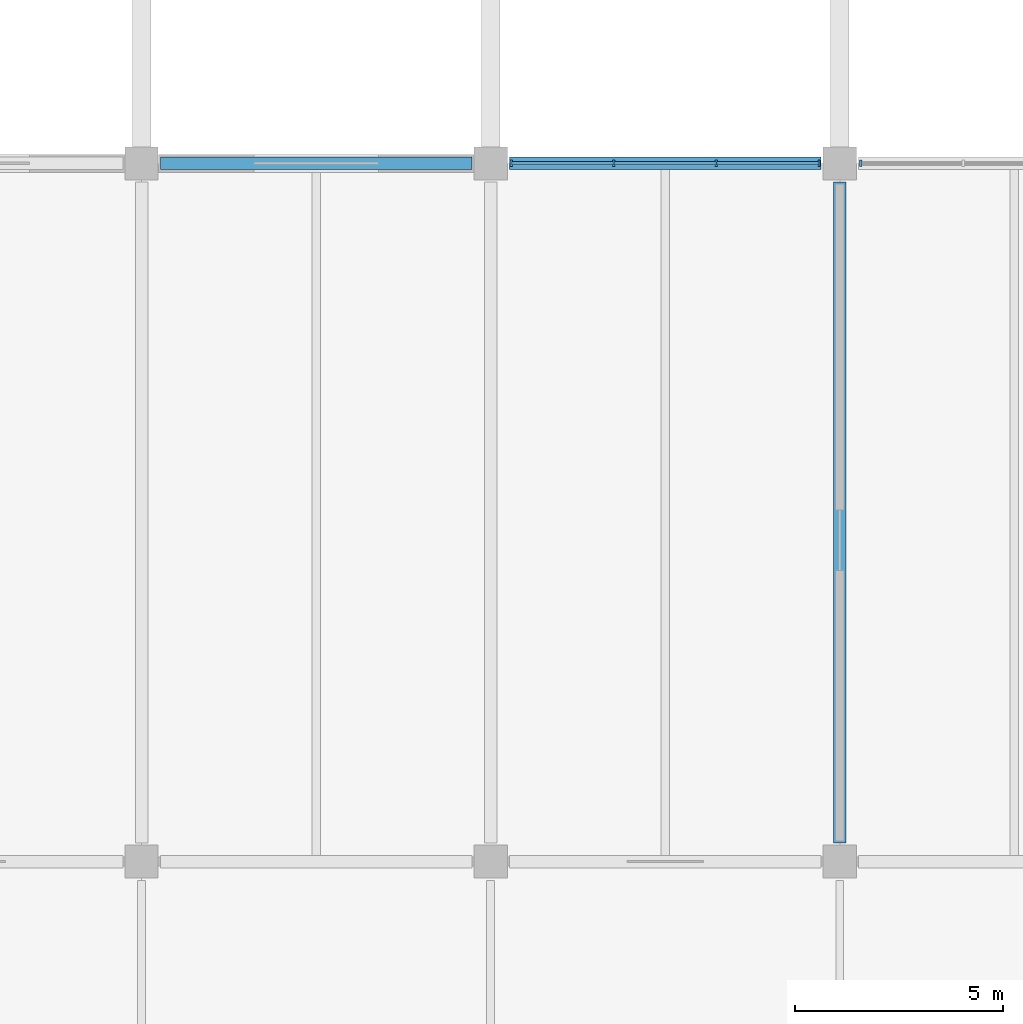
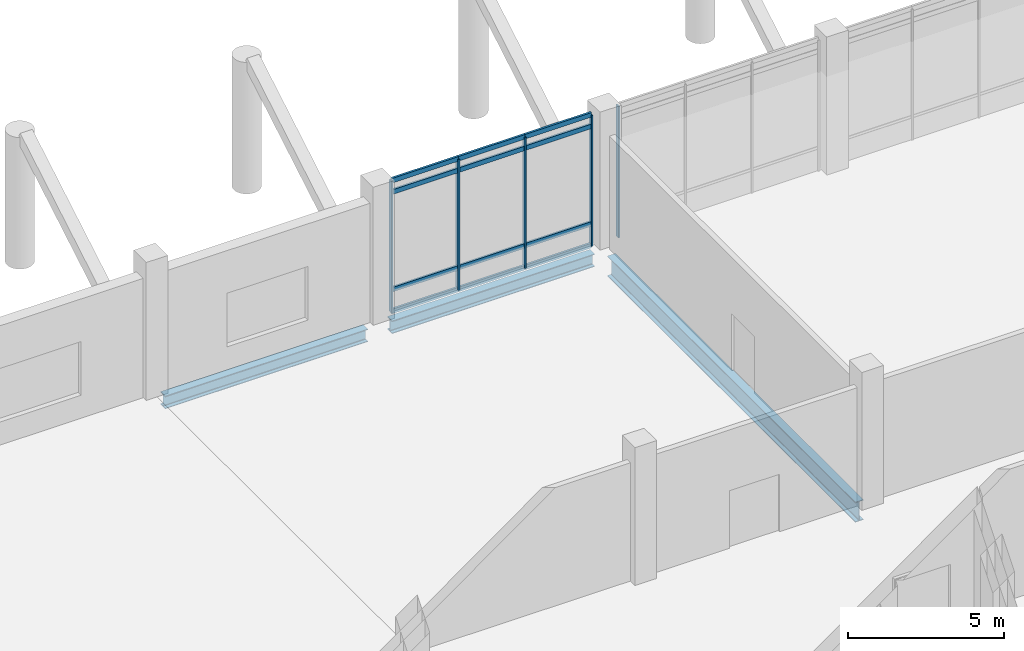
# One storey, part 12 of 72: 17 members, 3 beams, 2 elements without a shape of their own.
"""IFC4 building model written with IfcOpenShell, lengths in metres."""

from ifc_helpers import new_model, si_unit, direction, frame, origin, origin_2d, place, context, subcontext, project, spatial, rectangle, i_section, extrude, material, layer, layer_set, material_profile, profile_set, type_object, element, aggregate, save


model = new_model("IFC4")

# Units and contexts
model_context = context("Model", 3, precision=1e-05, world=origin(), true_north=direction((0.0, 1.0)))
body_context = subcontext(model_context, "Body", "Model", "MODEL_VIEW")
ifc_project = project(units=[si_unit("LENGTHUNIT", "METRE"), si_unit("AREAUNIT", "SQUARE_METRE"), si_unit("VOLUMEUNIT", "CUBIC_METRE"), si_unit("PLANEANGLEUNIT", "RADIAN"), si_unit("MASSUNIT", "GRAM", prefix="KILO")], contexts=[model_context])

# Site, building, storey
site_placement = place(None, origin())
site = spatial("IfcSite", under=ifc_project, at=site_placement, CompositionType="ELEMENT")
building_placement = place(site_placement, origin())
building = spatial("IfcBuilding", under=site, at=building_placement, Name="Qawsi Khor Wholesale Market", CompositionType="ELEMENT")
storey_placement = place(building_placement, frame((0.0, 0.0, 6.0)))
storey = spatial("IfcBuildingStorey", under=building, at=storey_placement, Name="L01", CompositionType="ELEMENT", Elevation=6.0)

# Curtain wall, members
ifc_material_1 = material(Name="Aluminium Anodised Bronze", Category="aluminium")
ifc_layer = layer(ifc_material_1, 0.169921875, Name="Aluminium Anodised Bronze")
ifc_layer_set = layer_set([ifc_layer], Name="Aluminium Anodised Bronze")
curtain_wall_type = type_object("IfcCurtainWallType", Name="Central Court Gallery Curtain Wall CW-05", PredefinedType="NOTDEFINED", material=ifc_layer_set)
curtain_wall_1_placement = place(storey_placement, origin())
curtain_wall_1 = element("IfcCurtainWall", 1, at=curtain_wall_1_placement, inside=storey, type_object=curtain_wall_type, Name="Curtain wall CW-CW-05-L01-063", PredefinedType="NOTDEFINED")
ifc_material_profile_1 = material_profile(ifc_material_1, rectangle(XDim=0.06005859375, YDim=0.159912109375, at=origin_2d()), Name="ALU MULLION 60x160")
ifc_profile_set_1 = profile_set([ifc_material_profile_1], Name="Aluminium Anodised Bronze")
member_type_1 = type_object("IfcMemberType", Name="Curtain Wall Mullion CW-05 ALU MULLION 60x160", PredefinedType="MULLION", material=ifc_profile_set_1)
member_1_placement = place(storey_placement, frame((118.10009765625, 42.0, -0.02001953125), z_axis=(0.0, 0.0, 1.0), x_axis=(1.0, 0.0, 0.0)))
member_1 = element("IfcMember", 2, at=member_1_placement, type_object=member_type_1, Name="Mullion CW-CW-05-L01-063-M00", PredefinedType="MULLION", context=body_context, shape_type="SweptSolid", body=[
    extrude(rectangle(XDim=0.06005859375, YDim=0.159912109375, at=origin_2d()), origin(), (0.0, 0.0, 1.0), 5.14013671875),
])
member_2_placement = place(storey_placement, frame((120.566650390625, 42.0, -0.02001953125), z_axis=(0.0, 0.0, 1.0), x_axis=(1.0, 0.0, 0.0)))
member_2 = element("IfcMember", 3, at=member_2_placement, type_object=member_type_1, Name="Mullion CW-CW-05-L01-063-M01", PredefinedType="MULLION", context=body_context, shape_type="SweptSolid", body=[
    extrude(rectangle(XDim=0.06005859375, YDim=0.159912109375, at=origin_2d()), origin(), (0.0, 0.0, 1.0), 5.14013671875),
])
member_3_placement = place(storey_placement, frame((123.033203125, 42.0, -0.02001953125), z_axis=(0.0, 0.0, 1.0), x_axis=(1.0, 0.0, 0.0)))
member_3 = element("IfcMember", 4, at=member_3_placement, type_object=member_type_1, Name="Mullion CW-CW-05-L01-063-M02", PredefinedType="MULLION", context=body_context, shape_type="SweptSolid", body=[
    extrude(rectangle(XDim=0.06005859375, YDim=0.159912109375, at=origin_2d()), origin(), (0.0, 0.0, 1.0), 5.14013671875),
])
member_4_placement = place(storey_placement, frame((125.5, 42.0, -0.02001953125), z_axis=(0.0, 0.0, 1.0), x_axis=(1.0, 0.0, 0.0)))
member_4 = element("IfcMember", 5, at=member_4_placement, type_object=member_type_1, Name="Mullion CW-CW-05-L01-063-M03", PredefinedType="MULLION", context=body_context, shape_type="SweptSolid", body=[
    extrude(rectangle(XDim=0.06005859375, YDim=0.159912109375, at=origin_2d()), origin(), (0.0, 0.0, 1.0), 5.14013671875),
])

# Curtain wall, member
curtain_wall_2_placement = place(storey_placement, origin())
curtain_wall_2 = element("IfcCurtainWall", 6, at=curtain_wall_2_placement, inside=storey, type_object=curtain_wall_type, Name="Curtain wall CW-CW-05-L01-064", PredefinedType="NOTDEFINED")
member_5_placement = place(storey_placement, frame((126.5, 42.0, -0.02001953125), z_axis=(0.0, 0.0, 1.0), x_axis=(1.0, 0.0, 0.0)))
member_5 = element("IfcMember", 7, at=member_5_placement, type_object=member_type_1, Name="Mullion CW-CW-05-L01-064-M00", PredefinedType="MULLION", context=body_context, shape_type="SweptSolid", body=[
    extrude(rectangle(XDim=0.06005859375, YDim=0.159912109375, at=origin_2d()), origin(), (0.0, 0.0, 1.0), 5.14013671875),
])
aggregate(curtain_wall_2, [member_5])

# Member
ifc_material_profile_2 = material_profile(ifc_material_1, rectangle(XDim=0.080078125, YDim=0.179931640625, at=origin_2d()), Name="ALU TRANSOM 80x180")
ifc_profile_set_2 = profile_set([ifc_material_profile_2], Name="Aluminium Anodised Bronze")
member_type_2 = type_object("IfcMemberType", Name="Curtain Wall Transom CW-05 ALU TRANSOM 80x180", PredefinedType="USERDEFINED", material=ifc_profile_set_2)
member_6_placement = place(storey_placement, frame((118.10009765625, 42.0, 0.0), z_axis=(1.0, 0.0, 0.0), x_axis=(0.0, 1.0, 0.0)))
member_6 = element("IfcMember", 8, at=member_6_placement, type_object=member_type_2, Name="Transom CW-CW-05-L01-063-T0_00", ObjectType="TRANSOM", PredefinedType="USERDEFINED", context=body_context, shape_type="SweptSolid", body=[
    extrude(rectangle(XDim=0.080078125, YDim=0.179931640625, at=origin_2d()), origin(), (0.0, 0.0, 1.0), 2.466552734375),
])

member_7_placement = place(storey_placement, frame((120.566650390625, 42.0, 0.0), z_axis=(1.0, 0.0, 0.0), x_axis=(0.0, 1.0, 0.0)))
member_7 = element("IfcMember", 9, at=member_7_placement, type_object=member_type_2, Name="Transom CW-CW-05-L01-063-T0_01", ObjectType="TRANSOM", PredefinedType="USERDEFINED", context=body_context, shape_type="SweptSolid", body=[
    extrude(rectangle(XDim=0.080078125, YDim=0.179931640625, at=origin_2d()), origin(), (0.0, 0.0, 1.0), 2.466552734375),
])

member_8_placement = place(storey_placement, frame((123.033203125, 42.0, 0.0), z_axis=(1.0, 0.0, 0.0), x_axis=(0.0, 1.0, 0.0)))
member_8 = element("IfcMember", 10, at=member_8_placement, type_object=member_type_2, Name="Transom CW-CW-05-L01-063-T0_02", ObjectType="TRANSOM", PredefinedType="USERDEFINED", context=body_context, shape_type="SweptSolid", body=[
    extrude(rectangle(XDim=0.080078125, YDim=0.179931640625, at=origin_2d()), origin(), (0.0, 0.0, 1.0), 2.466796875),
])

member_9_placement = place(storey_placement, frame((118.10009765625, 42.0, 0.85009765625), z_axis=(1.0, 0.0, 0.0), x_axis=(0.0, 1.0, 0.0)))
member_9 = element("IfcMember", 11, at=member_9_placement, type_object=member_type_2, Name="Transom CW-CW-05-L01-063-T1_00", ObjectType="TRANSOM", PredefinedType="USERDEFINED", context=body_context, shape_type="SweptSolid", body=[
    extrude(rectangle(XDim=0.080078125, YDim=0.179931640625, at=origin_2d()), origin(), (0.0, 0.0, 1.0), 2.466552734375),
])

member_10_placement = place(storey_placement, frame((120.566650390625, 42.0, 0.85009765625), z_axis=(1.0, 0.0, 0.0), x_axis=(0.0, 1.0, 0.0)))
member_10 = element("IfcMember", 12, at=member_10_placement, type_object=member_type_2, Name="Transom CW-CW-05-L01-063-T1_01", ObjectType="TRANSOM", PredefinedType="USERDEFINED", context=body_context, shape_type="SweptSolid", body=[
    extrude(rectangle(XDim=0.080078125, YDim=0.179931640625, at=origin_2d()), origin(), (0.0, 0.0, 1.0), 2.466552734375),
])

member_11_placement = place(storey_placement, frame((123.033203125, 42.0, 0.85009765625), z_axis=(1.0, 0.0, 0.0), x_axis=(0.0, 1.0, 0.0)))
member_11 = element("IfcMember", 13, at=member_11_placement, type_object=member_type_2, Name="Transom CW-CW-05-L01-063-T1_02", ObjectType="TRANSOM", PredefinedType="USERDEFINED", context=body_context, shape_type="SweptSolid", body=[
    extrude(rectangle(XDim=0.080078125, YDim=0.179931640625, at=origin_2d()), origin(), (0.0, 0.0, 1.0), 2.466796875),
])

member_12_placement = place(storey_placement, frame((118.10009765625, 42.0, 4.669921875), z_axis=(1.0, 0.0, 0.0), x_axis=(0.0, 1.0, 0.0)))
member_12 = element("IfcMember", 14, at=member_12_placement, type_object=member_type_2, Name="Transom CW-CW-05-L01-063-T2_00", ObjectType="TRANSOM", PredefinedType="USERDEFINED", context=body_context, shape_type="SweptSolid", body=[
    extrude(rectangle(XDim=0.080078125, YDim=0.179931640625, at=origin_2d()), origin(), (0.0, 0.0, 1.0), 2.466552734375),
])

member_13_placement = place(storey_placement, frame((120.566650390625, 42.0, 4.669921875), z_axis=(1.0, 0.0, 0.0), x_axis=(0.0, 1.0, 0.0)))
member_13 = element("IfcMember", 15, at=member_13_placement, type_object=member_type_2, Name="Transom CW-CW-05-L01-063-T2_01", ObjectType="TRANSOM", PredefinedType="USERDEFINED", context=body_context, shape_type="SweptSolid", body=[
    extrude(rectangle(XDim=0.080078125, YDim=0.179931640625, at=origin_2d()), origin(), (0.0, 0.0, 1.0), 2.466552734375),
])

member_14_placement = place(storey_placement, frame((123.033203125, 42.0, 4.669921875), z_axis=(1.0, 0.0, 0.0), x_axis=(0.0, 1.0, 0.0)))
member_14 = element("IfcMember", 16, at=member_14_placement, type_object=member_type_2, Name="Transom CW-CW-05-L01-063-T2_02", ObjectType="TRANSOM", PredefinedType="USERDEFINED", context=body_context, shape_type="SweptSolid", body=[
    extrude(rectangle(XDim=0.080078125, YDim=0.179931640625, at=origin_2d()), origin(), (0.0, 0.0, 1.0), 2.466796875),
])

member_15_placement = place(storey_placement, frame((118.10009765625, 42.0, 5.1201171875), z_axis=(1.0, 0.0, 0.0), x_axis=(0.0, 1.0, 0.0)))
member_15 = element("IfcMember", 17, at=member_15_placement, type_object=member_type_2, Name="Transom CW-CW-05-L01-063-T3_00", ObjectType="TRANSOM", PredefinedType="USERDEFINED", context=body_context, shape_type="SweptSolid", body=[
    extrude(rectangle(XDim=0.080078125, YDim=0.179931640625, at=origin_2d()), origin(), (0.0, 0.0, 1.0), 2.466552734375),
])

member_16_placement = place(storey_placement, frame((120.566650390625, 42.0, 5.1201171875), z_axis=(1.0, 0.0, 0.0), x_axis=(0.0, 1.0, 0.0)))
member_16 = element("IfcMember", 18, at=member_16_placement, type_object=member_type_2, Name="Transom CW-CW-05-L01-063-T3_01", ObjectType="TRANSOM", PredefinedType="USERDEFINED", context=body_context, shape_type="SweptSolid", body=[
    extrude(rectangle(XDim=0.080078125, YDim=0.179931640625, at=origin_2d()), origin(), (0.0, 0.0, 1.0), 2.466552734375),
])

member_17_placement = place(storey_placement, frame((123.033203125, 42.0, 5.1201171875), z_axis=(1.0, 0.0, 0.0), x_axis=(0.0, 1.0, 0.0)))
member_17 = element("IfcMember", 19, at=member_17_placement, type_object=member_type_2, Name="Transom CW-CW-05-L01-063-T3_02", ObjectType="TRANSOM", PredefinedType="USERDEFINED", context=body_context, shape_type="SweptSolid", body=[
    extrude(rectangle(XDim=0.080078125, YDim=0.179931640625, at=origin_2d()), origin(), (0.0, 0.0, 1.0), 2.466796875),
])

aggregate(curtain_wall_1, [member_1, member_2, member_3, member_4, member_6, member_7, member_8, member_9, member_10, member_11, member_12, member_13, member_14, member_15, member_16, member_17])

# Beams
ifc_material_2 = material(Name="Steel S355", Category="steel")
ifc_material_profile_3 = material_profile(ifc_material_2, i_section(OverallWidth=0.300048828125, OverallDepth=0.5, WebThickness=0.014404296875, FlangeThickness=0.028076171875, FilletRadius=0.027099609375, at=origin_2d()), Name="HEB 500")
ifc_profile_set_3 = profile_set([ifc_material_profile_3], Name="Steel S355")
beam_type_1 = type_object("IfcBeamType", Name="Heavy Edge Girder HEB 500", PredefinedType="BEAM", material=ifc_profile_set_3)
for number, where, z_axis, x_axis, name in (
    (20, (109.64990234375, 42.0, -0.530029296875), (1.0, 0.0, 0.0), (0.0, 1.0, 0.0), "BM-X-L01-13_+05"),
    (21, (118.050048828125, 42.0, -0.530029296875), (1.0, 0.0, 0.0), (0.0, 1.0, 0.0), "BM-X-L01-14_+05"),
):
    element("IfcBeam", number, at=place(storey_placement, frame(where, z_axis=z_axis, x_axis=x_axis)), inside=storey, type_object=beam_type_1, Name=name, PredefinedType="BEAM", context=body_context, shape_type="SweptSolid", body=[
        extrude(i_section(OverallWidth=0.300048828125, OverallDepth=0.5, WebThickness=0.014404296875, FlangeThickness=0.028076171875, FilletRadius=0.027099609375, at=origin_2d()), origin(), (0.0, 0.0, 1.0), 7.5),
    ])
ifc_material_profile_4 = material_profile(ifc_material_2, i_section(OverallWidth=0.300048828125, OverallDepth=0.7900390625, WebThickness=0.014892578125, FlangeThickness=0.028076171875, FilletRadius=0.030029296875, at=origin_2d()), Name="HEA 800")
ifc_profile_set_4 = profile_set([ifc_material_profile_4], Name="Steel S355")
beam_type_2 = type_object("IfcBeamType", Name="Primary Girder HEA 800", PredefinedType="BEAM", material=ifc_profile_set_4)
beam_placement = place(storey_placement, frame((126.0, 25.64990234375, -0.675048828125), z_axis=(0.0, 1.0, 0.0), x_axis=(-1.0, 0.0, 0.0)))
element("IfcBeam", 22, at=beam_placement, inside=storey, type_object=beam_type_2, Name="BM-YL-L01-15_+03", PredefinedType="BEAM", context=body_context, shape_type="SweptSolid", body=[
    extrude(i_section(OverallWidth=0.300048828125, OverallDepth=0.7900390625, WebThickness=0.014892578125, FlangeThickness=0.028076171875, FilletRadius=0.030029296875, at=origin_2d()), origin(), (0.0, 0.0, 1.0), 15.900146484375),
])

save(model, "model.ifc")
